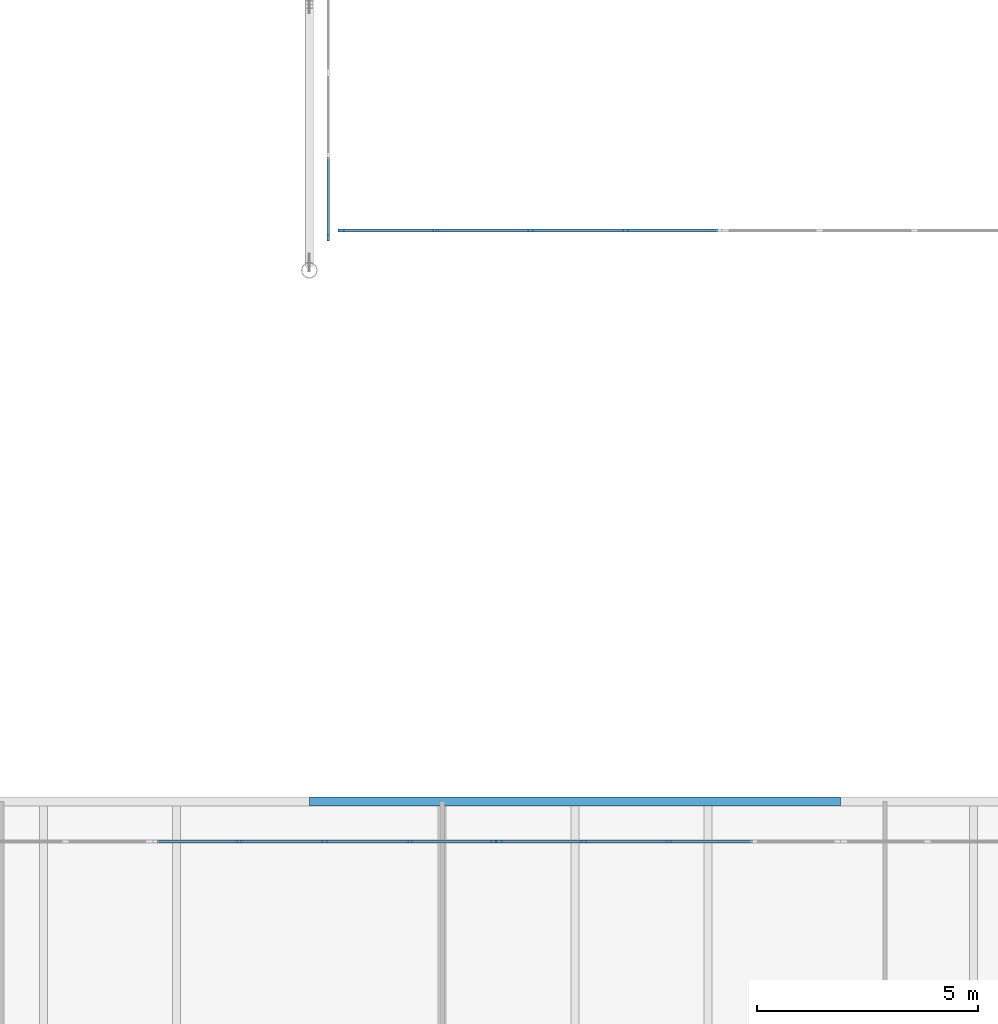
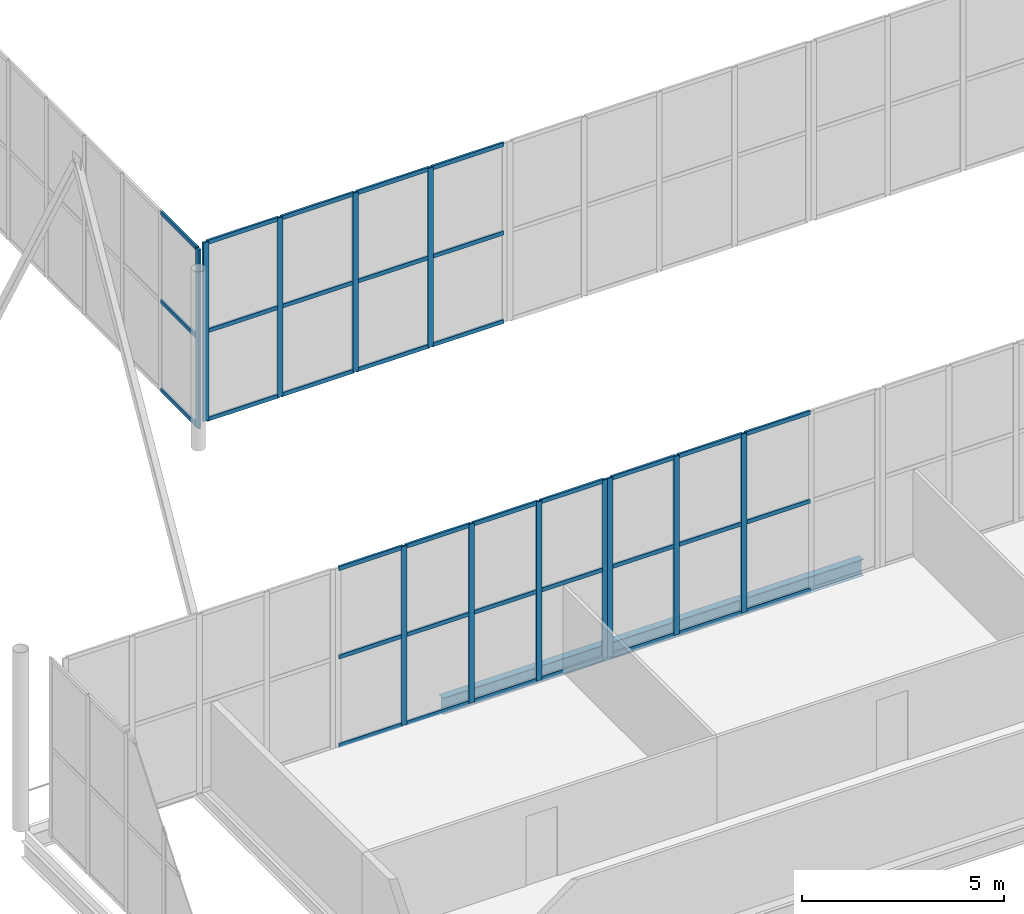
# One storey, part 56 of 170: 48 members, 1 beam, 4 elements without a shape of their own.
"""IFC4 building model written with IfcOpenShell, lengths in metres."""

from ifc_helpers import new_model, si_unit, direction, frame, origin, origin_2d, place, context, subcontext, project, spatial, rectangle, i_section, extrude, material, layer, layer_set, material_profile, profile_set, type_object, element, aggregate, save


model = new_model("IFC4")

# Units and contexts
model_context = context("Model", 3, precision=1e-05, world=origin(), true_north=direction((0.0, 1.0)))
body_context = subcontext(model_context, "Body", "Model", "MODEL_VIEW")
ifc_project = project(units=[si_unit("LENGTHUNIT", "METRE"), si_unit("AREAUNIT", "SQUARE_METRE"), si_unit("VOLUMEUNIT", "CUBIC_METRE"), si_unit("PLANEANGLEUNIT", "RADIAN"), si_unit("MASSUNIT", "GRAM", prefix="KILO")], contexts=[model_context])

# Site, building, storey
site_placement = place(None, origin())
site = spatial("IfcSite", under=ifc_project, at=site_placement, CompositionType="ELEMENT")
building_placement = place(site_placement, origin())
building = spatial("IfcBuilding", under=site, at=building_placement, Name="Ravi Spectrum Wholesale Market", CompositionType="ELEMENT")
storey_placement = place(building_placement, frame((0.0, 0.0, 5.39990234375)))
storey = spatial("IfcBuildingStorey", under=building, at=storey_placement, Name="L01", CompositionType="ELEMENT", Elevation=5.39990234375)

# Beam
ifc_material_1 = material(Name="Steel S355", Category="steel")
ifc_material_profile_1 = material_profile(ifc_material_1, i_section(OverallWidth=0.199951171875, OverallDepth=0.5, WebThickness=0.01025390625, FlangeThickness=0.01611328125, at=origin_2d()))
ifc_profile_set_1 = profile_set([ifc_material_profile_1], Name="Steel S355")
beam_type = type_object("IfcBeamType", Name="IPE 500 girder", PredefinedType="BEAM", material=ifc_profile_set_1)
beam_placement = place(storey_placement, frame((162.0, 126.0, -0.5), z_axis=(1.0, 0.0, 0.0), x_axis=(0.0, 1.0, 0.0)))
element("IfcBeam", 1, at=beam_placement, inside=storey, type_object=beam_type, Name="H2-BM-L01-006", PredefinedType="BEAM", context=body_context, shape_type="SweptSolid", body=[
    extrude(i_section(OverallWidth=0.199951171875, OverallDepth=0.5, WebThickness=0.01025390625, FlangeThickness=0.01611328125, at=origin_2d()), origin(), (0.0, 0.0, 1.0), 12.0),
])

# Curtain wall, members
ifc_material_2 = material(Name="Aluminium 6063-T6", Category="aluminium")
ifc_layer = layer(ifc_material_2, 0.14990234375)
ifc_layer_set = layer_set([ifc_layer], Name="Aluminium 6063-T6")
curtain_wall_type = type_object("IfcCurtainWallType", Name="Curtain wall 150", PredefinedType="NOTDEFINED", material=ifc_layer_set)
curtain_wall_1_placement = place(storey_placement, origin())
curtain_wall_1 = element("IfcCurtainWall", 2, at=curtain_wall_1_placement, inside=storey, type_object=curtain_wall_type, Name="H2-CW-L01-016", PredefinedType="NOTDEFINED")
ifc_material_3 = material(Name="Aluminium 6063-T6", Category="aluminium")
ifc_material_profile_2 = material_profile(ifc_material_3, rectangle(XDim=0.06005859375, YDim=0.159912109375, at=origin_2d()))
ifc_profile_set_2 = profile_set([ifc_material_profile_2], Name="Aluminium 6063-T6")
member_type_1 = type_object("IfcMemberType", Name="Mullion 60 x 160", PredefinedType="MULLION", material=ifc_profile_set_2)
member_1_placement = place(storey_placement, frame((160.41845703125, 125.10009765625, 0.0), z_axis=(0.0, 0.0, 1.0), x_axis=(0.0, 1.0, 0.0)))
member_1 = element("IfcMember", 3, at=member_1_placement, type_object=member_type_1, Name="H2-CW-L01-016 mullion 2", PredefinedType="MULLION", context=body_context, shape_type="SweptSolid", body=[
    extrude(rectangle(XDim=0.06005859375, YDim=0.159912109375, at=origin_2d()), origin(), (0.0, 0.0, 1.0), 5.400146484375),
])
member_2_placement = place(storey_placement, frame((162.341552734375, 125.10009765625, 0.0), z_axis=(0.0, 0.0, 1.0), x_axis=(0.0, 1.0, 0.0)))
member_2 = element("IfcMember", 4, at=member_2_placement, type_object=member_type_1, Name="H2-CW-L01-016 mullion 3", PredefinedType="MULLION", context=body_context, shape_type="SweptSolid", body=[
    extrude(rectangle(XDim=0.06005859375, YDim=0.159912109375, at=origin_2d()), origin(), (0.0, 0.0, 1.0), 5.400146484375),
])
member_3_placement = place(storey_placement, frame((164.2646484375, 125.10009765625, 0.0), z_axis=(0.0, 0.0, 1.0), x_axis=(0.0, 1.0, 0.0)))
member_3 = element("IfcMember", 5, at=member_3_placement, type_object=member_type_1, Name="H2-CW-L01-016 mullion 4", PredefinedType="MULLION", context=body_context, shape_type="SweptSolid", body=[
    extrude(rectangle(XDim=0.06005859375, YDim=0.159912109375, at=origin_2d()), origin(), (0.0, 0.0, 1.0), 5.400146484375),
])
member_4_placement = place(storey_placement, frame((166.15771484375, 125.10009765625, 0.0), z_axis=(0.0, 0.0, 1.0), x_axis=(0.0, 1.0, 0.0)))
member_4 = element("IfcMember", 6, at=member_4_placement, type_object=member_type_1, Name="H2-CW-L01-016 mullion 5", PredefinedType="MULLION", context=body_context, shape_type="SweptSolid", body=[
    extrude(rectangle(XDim=0.06005859375, YDim=0.159912109375, at=origin_2d()), origin(), (0.0, 0.0, 1.0), 5.400146484375),
])

curtain_wall_2_placement = place(storey_placement, origin())
curtain_wall_2 = element("IfcCurtainWall", 7, at=curtain_wall_2_placement, inside=storey, type_object=curtain_wall_type, Name="H2-CW-L01-017", PredefinedType="NOTDEFINED")
member_5_placement = place(storey_placement, frame((166.2978515625, 125.10009765625, 0.0), z_axis=(0.0, 0.0, 1.0), x_axis=(0.0, 1.0, 0.0)))
member_5 = element("IfcMember", 8, at=member_5_placement, type_object=member_type_1, Name="H2-CW-L01-017 mullion 1", PredefinedType="MULLION", context=body_context, shape_type="SweptSolid", body=[
    extrude(rectangle(XDim=0.06005859375, YDim=0.159912109375, at=origin_2d()), origin(), (0.0, 0.0, 1.0), 5.400146484375),
])
member_6_placement = place(storey_placement, frame((168.19091796875, 125.10009765625, 0.0), z_axis=(0.0, 0.0, 1.0), x_axis=(0.0, 1.0, 0.0)))
member_6 = element("IfcMember", 9, at=member_6_placement, type_object=member_type_1, Name="H2-CW-L01-017 mullion 2", PredefinedType="MULLION", context=body_context, shape_type="SweptSolid", body=[
    extrude(rectangle(XDim=0.06005859375, YDim=0.159912109375, at=origin_2d()), origin(), (0.0, 0.0, 1.0), 5.400146484375),
])
member_7_placement = place(storey_placement, frame((170.11376953125, 125.10009765625, 0.0), z_axis=(0.0, 0.0, 1.0), x_axis=(0.0, 1.0, 0.0)))
member_7 = element("IfcMember", 10, at=member_7_placement, type_object=member_type_1, Name="H2-CW-L01-017 mullion 3", PredefinedType="MULLION", context=body_context, shape_type="SweptSolid", body=[
    extrude(rectangle(XDim=0.06005859375, YDim=0.159912109375, at=origin_2d()), origin(), (0.0, 0.0, 1.0), 5.400146484375),
])

# Curtain wall, member
curtain_wall_3_placement = place(storey_placement, origin())
curtain_wall_3 = element("IfcCurtainWall", 11, at=curtain_wall_3_placement, inside=storey, type_object=curtain_wall_type, Name="H3-CW-L01-001", PredefinedType="NOTDEFINED")
member_8_placement = place(storey_placement, frame((162.427734375, 138.739990234375, 0.0), z_axis=(0.0, 0.0, 1.0), x_axis=(-1.0, 0.0, 0.0)))
member_8 = element("IfcMember", 12, at=member_8_placement, type_object=member_type_1, Name="H3-CW-L01-001 mullion 1", PredefinedType="MULLION", context=body_context, shape_type="SweptSolid", body=[
    extrude(rectangle(XDim=0.06005859375, YDim=0.159912109375, at=origin_2d()), origin(), (0.0, 0.0, 1.0), 5.400146484375),
])

# Curtain wall, members
curtain_wall_4_placement = place(storey_placement, origin())
curtain_wall_4 = element("IfcCurtainWall", 13, at=curtain_wall_4_placement, inside=storey, type_object=curtain_wall_type, Name="H3-CW-L01-009", PredefinedType="NOTDEFINED")
member_9_placement = place(storey_placement, frame((162.727783203125, 138.89990234375, 0.0), z_axis=(0.0, 0.0, 1.0), x_axis=(0.0, 1.0, 0.0)))
member_9 = element("IfcMember", 14, at=member_9_placement, type_object=member_type_1, Name="H3-CW-L01-009 mullion 1", PredefinedType="MULLION", context=body_context, shape_type="SweptSolid", body=[
    extrude(rectangle(XDim=0.06005859375, YDim=0.159912109375, at=origin_2d()), origin(), (0.0, 0.0, 1.0), 5.400146484375),
])
member_10_placement = place(storey_placement, frame((164.845458984375, 138.89990234375, 0.0), z_axis=(0.0, 0.0, 1.0), x_axis=(0.0, 1.0, 0.0)))
member_10 = element("IfcMember", 15, at=member_10_placement, type_object=member_type_1, Name="H3-CW-L01-009 mullion 2", PredefinedType="MULLION", context=body_context, shape_type="SweptSolid", body=[
    extrude(rectangle(XDim=0.06005859375, YDim=0.159912109375, at=origin_2d()), origin(), (0.0, 0.0, 1.0), 5.400146484375),
])
member_11_placement = place(storey_placement, frame((166.993408203125, 138.89990234375, 0.0), z_axis=(0.0, 0.0, 1.0), x_axis=(0.0, 1.0, 0.0)))
member_11 = element("IfcMember", 16, at=member_11_placement, type_object=member_type_1, Name="H3-CW-L01-009 mullion 3", PredefinedType="MULLION", context=body_context, shape_type="SweptSolid", body=[
    extrude(rectangle(XDim=0.06005859375, YDim=0.159912109375, at=origin_2d()), origin(), (0.0, 0.0, 1.0), 5.400146484375),
])
member_12_placement = place(storey_placement, frame((169.14111328125, 138.89990234375, 0.0), z_axis=(0.0, 0.0, 1.0), x_axis=(0.0, 1.0, 0.0)))
member_12 = element("IfcMember", 17, at=member_12_placement, type_object=member_type_1, Name="H3-CW-L01-009 mullion 4", PredefinedType="MULLION", context=body_context, shape_type="SweptSolid", body=[
    extrude(rectangle(XDim=0.06005859375, YDim=0.159912109375, at=origin_2d()), origin(), (0.0, 0.0, 1.0), 5.400146484375),
])

# Member
ifc_material_4 = material(Name="Aluminium 6063-T6", Category="aluminium")
ifc_material_profile_3 = material_profile(ifc_material_4, rectangle(XDim=0.06005859375, YDim=0.1201171875, at=origin_2d()))
ifc_profile_set_3 = profile_set([ifc_material_profile_3], Name="Aluminium 6063-T6")
member_type_2 = type_object("IfcMemberType", Name="Transom 60 x 120", PredefinedType="USERDEFINED", material=ifc_profile_set_3)
member_13_placement = place(storey_placement, frame((158.555419921875, 125.10009765625, 0.030029296875), z_axis=(1.0, 0.0, 0.0), x_axis=(0.0, 1.0, 0.0)))
member_13 = element("IfcMember", 18, at=member_13_placement, type_object=member_type_2, Name="H2-CW-L01-016 transom 1.1", ObjectType="TRANSOM", PredefinedType="USERDEFINED", context=body_context, shape_type="SweptSolid", body=[
    extrude(rectangle(XDim=0.06005859375, YDim=0.1201171875, at=origin_2d()), origin(), (0.0, 0.0, 1.0), 1.8330078125),
])

member_14_placement = place(storey_placement, frame((158.555419921875, 125.10009765625, 2.7001953125), z_axis=(1.0, 0.0, 0.0), x_axis=(0.0, 1.0, 0.0)))
member_14 = element("IfcMember", 19, at=member_14_placement, type_object=member_type_2, Name="H2-CW-L01-016 transom 1.2", ObjectType="TRANSOM", PredefinedType="USERDEFINED", context=body_context, shape_type="SweptSolid", body=[
    extrude(rectangle(XDim=0.06005859375, YDim=0.1201171875, at=origin_2d()), origin(), (0.0, 0.0, 1.0), 1.8330078125),
])

member_15_placement = place(storey_placement, frame((158.555419921875, 125.10009765625, 5.3701171875), z_axis=(1.0, 0.0, 0.0), x_axis=(0.0, 1.0, 0.0)))
member_15 = element("IfcMember", 20, at=member_15_placement, type_object=member_type_2, Name="H2-CW-L01-016 transom 1.3", ObjectType="TRANSOM", PredefinedType="USERDEFINED", context=body_context, shape_type="SweptSolid", body=[
    extrude(rectangle(XDim=0.06005859375, YDim=0.1201171875, at=origin_2d()), origin(), (0.0, 0.0, 1.0), 1.8330078125),
])

member_16_placement = place(storey_placement, frame((160.448486328125, 125.10009765625, 0.030029296875), z_axis=(1.0, 0.0, 0.0), x_axis=(0.0, 1.0, 0.0)))
member_16 = element("IfcMember", 21, at=member_16_placement, type_object=member_type_2, Name="H2-CW-L01-016 transom 2.1", ObjectType="TRANSOM", PredefinedType="USERDEFINED", context=body_context, shape_type="SweptSolid", body=[
    extrude(rectangle(XDim=0.06005859375, YDim=0.1201171875, at=origin_2d()), origin(), (0.0, 0.0, 1.0), 1.863037109375),
])

member_17_placement = place(storey_placement, frame((160.448486328125, 125.10009765625, 2.7001953125), z_axis=(1.0, 0.0, 0.0), x_axis=(0.0, 1.0, 0.0)))
member_17 = element("IfcMember", 22, at=member_17_placement, type_object=member_type_2, Name="H2-CW-L01-016 transom 2.2", ObjectType="TRANSOM", PredefinedType="USERDEFINED", context=body_context, shape_type="SweptSolid", body=[
    extrude(rectangle(XDim=0.06005859375, YDim=0.1201171875, at=origin_2d()), origin(), (0.0, 0.0, 1.0), 1.863037109375),
])

member_18_placement = place(storey_placement, frame((160.448486328125, 125.10009765625, 5.3701171875), z_axis=(1.0, 0.0, 0.0), x_axis=(0.0, 1.0, 0.0)))
member_18 = element("IfcMember", 23, at=member_18_placement, type_object=member_type_2, Name="H2-CW-L01-016 transom 2.3", ObjectType="TRANSOM", PredefinedType="USERDEFINED", context=body_context, shape_type="SweptSolid", body=[
    extrude(rectangle(XDim=0.06005859375, YDim=0.1201171875, at=origin_2d()), origin(), (0.0, 0.0, 1.0), 1.863037109375),
])

member_19_placement = place(storey_placement, frame((162.37158203125, 125.10009765625, 0.030029296875), z_axis=(1.0, 0.0, 0.0), x_axis=(0.0, 1.0, 0.0)))
member_19 = element("IfcMember", 24, at=member_19_placement, type_object=member_type_2, Name="H2-CW-L01-016 transom 3.1", ObjectType="TRANSOM", PredefinedType="USERDEFINED", context=body_context, shape_type="SweptSolid", body=[
    extrude(rectangle(XDim=0.06005859375, YDim=0.1201171875, at=origin_2d()), origin(), (0.0, 0.0, 1.0), 1.863037109375),
])

member_20_placement = place(storey_placement, frame((162.37158203125, 125.10009765625, 2.7001953125), z_axis=(1.0, 0.0, 0.0), x_axis=(0.0, 1.0, 0.0)))
member_20 = element("IfcMember", 25, at=member_20_placement, type_object=member_type_2, Name="H2-CW-L01-016 transom 3.2", ObjectType="TRANSOM", PredefinedType="USERDEFINED", context=body_context, shape_type="SweptSolid", body=[
    extrude(rectangle(XDim=0.06005859375, YDim=0.1201171875, at=origin_2d()), origin(), (0.0, 0.0, 1.0), 1.863037109375),
])

member_21_placement = place(storey_placement, frame((162.37158203125, 125.10009765625, 5.3701171875), z_axis=(1.0, 0.0, 0.0), x_axis=(0.0, 1.0, 0.0)))
member_21 = element("IfcMember", 26, at=member_21_placement, type_object=member_type_2, Name="H2-CW-L01-016 transom 3.3", ObjectType="TRANSOM", PredefinedType="USERDEFINED", context=body_context, shape_type="SweptSolid", body=[
    extrude(rectangle(XDim=0.06005859375, YDim=0.1201171875, at=origin_2d()), origin(), (0.0, 0.0, 1.0), 1.863037109375),
])

member_22_placement = place(storey_placement, frame((164.294677734375, 125.10009765625, 0.030029296875), z_axis=(1.0, 0.0, 0.0), x_axis=(0.0, 1.0, 0.0)))
member_22 = element("IfcMember", 27, at=member_22_placement, type_object=member_type_2, Name="H2-CW-L01-016 transom 4.1", ObjectType="TRANSOM", PredefinedType="USERDEFINED", context=body_context, shape_type="SweptSolid", body=[
    extrude(rectangle(XDim=0.06005859375, YDim=0.1201171875, at=origin_2d()), origin(), (0.0, 0.0, 1.0), 1.8330078125),
])

member_23_placement = place(storey_placement, frame((164.294677734375, 125.10009765625, 2.7001953125), z_axis=(1.0, 0.0, 0.0), x_axis=(0.0, 1.0, 0.0)))
member_23 = element("IfcMember", 28, at=member_23_placement, type_object=member_type_2, Name="H2-CW-L01-016 transom 4.2", ObjectType="TRANSOM", PredefinedType="USERDEFINED", context=body_context, shape_type="SweptSolid", body=[
    extrude(rectangle(XDim=0.06005859375, YDim=0.1201171875, at=origin_2d()), origin(), (0.0, 0.0, 1.0), 1.8330078125),
])

member_24_placement = place(storey_placement, frame((164.294677734375, 125.10009765625, 5.3701171875), z_axis=(1.0, 0.0, 0.0), x_axis=(0.0, 1.0, 0.0)))
member_24 = element("IfcMember", 29, at=member_24_placement, type_object=member_type_2, Name="H2-CW-L01-016 transom 4.3", ObjectType="TRANSOM", PredefinedType="USERDEFINED", context=body_context, shape_type="SweptSolid", body=[
    extrude(rectangle(XDim=0.06005859375, YDim=0.1201171875, at=origin_2d()), origin(), (0.0, 0.0, 1.0), 1.8330078125),
])

aggregate(curtain_wall_1, [member_1, member_2, member_3, member_4, member_13, member_14, member_15, member_16, member_17, member_18, member_19, member_20, member_21, member_22, member_23, member_24])

member_25_placement = place(storey_placement, frame((166.32763671875, 125.10009765625, 0.030029296875), z_axis=(1.0, 0.0, 0.0), x_axis=(0.0, 1.0, 0.0)))
member_25 = element("IfcMember", 30, at=member_25_placement, type_object=member_type_2, Name="H2-CW-L01-017 transom 1.1", ObjectType="TRANSOM", PredefinedType="USERDEFINED", context=body_context, shape_type="SweptSolid", body=[
    extrude(rectangle(XDim=0.06005859375, YDim=0.1201171875, at=origin_2d()), origin(), (0.0, 0.0, 1.0), 1.833251953125),
])

member_26_placement = place(storey_placement, frame((166.32763671875, 125.10009765625, 2.7001953125), z_axis=(1.0, 0.0, 0.0), x_axis=(0.0, 1.0, 0.0)))
member_26 = element("IfcMember", 31, at=member_26_placement, type_object=member_type_2, Name="H2-CW-L01-017 transom 1.2", ObjectType="TRANSOM", PredefinedType="USERDEFINED", context=body_context, shape_type="SweptSolid", body=[
    extrude(rectangle(XDim=0.06005859375, YDim=0.1201171875, at=origin_2d()), origin(), (0.0, 0.0, 1.0), 1.833251953125),
])

member_27_placement = place(storey_placement, frame((166.32763671875, 125.10009765625, 5.3701171875), z_axis=(1.0, 0.0, 0.0), x_axis=(0.0, 1.0, 0.0)))
member_27 = element("IfcMember", 32, at=member_27_placement, type_object=member_type_2, Name="H2-CW-L01-017 transom 1.3", ObjectType="TRANSOM", PredefinedType="USERDEFINED", context=body_context, shape_type="SweptSolid", body=[
    extrude(rectangle(XDim=0.06005859375, YDim=0.1201171875, at=origin_2d()), origin(), (0.0, 0.0, 1.0), 1.833251953125),
])

member_28_placement = place(storey_placement, frame((168.220703125, 125.10009765625, 0.030029296875), z_axis=(1.0, 0.0, 0.0), x_axis=(0.0, 1.0, 0.0)))
member_28 = element("IfcMember", 33, at=member_28_placement, type_object=member_type_2, Name="H2-CW-L01-017 transom 2.1", ObjectType="TRANSOM", PredefinedType="USERDEFINED", context=body_context, shape_type="SweptSolid", body=[
    extrude(rectangle(XDim=0.06005859375, YDim=0.1201171875, at=origin_2d()), origin(), (0.0, 0.0, 1.0), 1.86328125),
])

member_29_placement = place(storey_placement, frame((168.220703125, 125.10009765625, 2.7001953125), z_axis=(1.0, 0.0, 0.0), x_axis=(0.0, 1.0, 0.0)))
member_29 = element("IfcMember", 34, at=member_29_placement, type_object=member_type_2, Name="H2-CW-L01-017 transom 2.2", ObjectType="TRANSOM", PredefinedType="USERDEFINED", context=body_context, shape_type="SweptSolid", body=[
    extrude(rectangle(XDim=0.06005859375, YDim=0.1201171875, at=origin_2d()), origin(), (0.0, 0.0, 1.0), 1.86328125),
])

member_30_placement = place(storey_placement, frame((168.220703125, 125.10009765625, 5.3701171875), z_axis=(1.0, 0.0, 0.0), x_axis=(0.0, 1.0, 0.0)))
member_30 = element("IfcMember", 35, at=member_30_placement, type_object=member_type_2, Name="H2-CW-L01-017 transom 2.3", ObjectType="TRANSOM", PredefinedType="USERDEFINED", context=body_context, shape_type="SweptSolid", body=[
    extrude(rectangle(XDim=0.06005859375, YDim=0.1201171875, at=origin_2d()), origin(), (0.0, 0.0, 1.0), 1.86328125),
])

member_31_placement = place(storey_placement, frame((170.143798828125, 125.10009765625, 0.030029296875), z_axis=(1.0, 0.0, 0.0), x_axis=(0.0, 1.0, 0.0)))
member_31 = element("IfcMember", 36, at=member_31_placement, type_object=member_type_2, Name="H2-CW-L01-017 transom 3.1", ObjectType="TRANSOM", PredefinedType="USERDEFINED", context=body_context, shape_type="SweptSolid", body=[
    extrude(rectangle(XDim=0.06005859375, YDim=0.1201171875, at=origin_2d()), origin(), (0.0, 0.0, 1.0), 1.863037109375),
])

member_32_placement = place(storey_placement, frame((170.143798828125, 125.10009765625, 2.7001953125), z_axis=(1.0, 0.0, 0.0), x_axis=(0.0, 1.0, 0.0)))
member_32 = element("IfcMember", 37, at=member_32_placement, type_object=member_type_2, Name="H2-CW-L01-017 transom 3.2", ObjectType="TRANSOM", PredefinedType="USERDEFINED", context=body_context, shape_type="SweptSolid", body=[
    extrude(rectangle(XDim=0.06005859375, YDim=0.1201171875, at=origin_2d()), origin(), (0.0, 0.0, 1.0), 1.863037109375),
])

member_33_placement = place(storey_placement, frame((170.143798828125, 125.10009765625, 5.3701171875), z_axis=(1.0, 0.0, 0.0), x_axis=(0.0, 1.0, 0.0)))
member_33 = element("IfcMember", 38, at=member_33_placement, type_object=member_type_2, Name="H2-CW-L01-017 transom 3.3", ObjectType="TRANSOM", PredefinedType="USERDEFINED", context=body_context, shape_type="SweptSolid", body=[
    extrude(rectangle(XDim=0.06005859375, YDim=0.1201171875, at=origin_2d()), origin(), (0.0, 0.0, 1.0), 1.863037109375),
])

aggregate(curtain_wall_2, [member_5, member_6, member_7, member_25, member_26, member_27, member_28, member_29, member_30, member_31, member_32, member_33])

member_34_placement = place(storey_placement, frame((162.427734375, 138.77001953125, 0.030029296875), z_axis=(0.0, 1.0, 0.0), x_axis=(-1.0, 0.0, 0.0)))
member_34 = element("IfcMember", 39, at=member_34_placement, type_object=member_type_2, Name="H3-CW-L01-001 transom 1.1", ObjectType="TRANSOM", PredefinedType="USERDEFINED", context=body_context, shape_type="SweptSolid", body=[
    extrude(rectangle(XDim=0.06005859375, YDim=0.1201171875, at=origin_2d()), origin(), (0.0, 0.0, 1.0), 1.784912109375),
])

member_35_placement = place(storey_placement, frame((162.427734375, 138.77001953125, 2.7001953125), z_axis=(0.0, 1.0, 0.0), x_axis=(-1.0, 0.0, 0.0)))
member_35 = element("IfcMember", 40, at=member_35_placement, type_object=member_type_2, Name="H3-CW-L01-001 transom 1.2", ObjectType="TRANSOM", PredefinedType="USERDEFINED", context=body_context, shape_type="SweptSolid", body=[
    extrude(rectangle(XDim=0.06005859375, YDim=0.1201171875, at=origin_2d()), origin(), (0.0, 0.0, 1.0), 1.784912109375),
])

member_36_placement = place(storey_placement, frame((162.427734375, 138.77001953125, 5.3701171875), z_axis=(0.0, 1.0, 0.0), x_axis=(-1.0, 0.0, 0.0)))
member_36 = element("IfcMember", 41, at=member_36_placement, type_object=member_type_2, Name="H3-CW-L01-001 transom 1.3", ObjectType="TRANSOM", PredefinedType="USERDEFINED", context=body_context, shape_type="SweptSolid", body=[
    extrude(rectangle(XDim=0.06005859375, YDim=0.1201171875, at=origin_2d()), origin(), (0.0, 0.0, 1.0), 1.784912109375),
])

aggregate(curtain_wall_3, [member_8, member_34, member_35, member_36])

member_37_placement = place(storey_placement, frame((162.7578125, 138.89990234375, 0.030029296875), z_axis=(1.0, 0.0, 0.0), x_axis=(0.0, 1.0, 0.0)))
member_37 = element("IfcMember", 42, at=member_37_placement, type_object=member_type_2, Name="H3-CW-L01-009 transom 1.1", ObjectType="TRANSOM", PredefinedType="USERDEFINED", context=body_context, shape_type="SweptSolid", body=[
    extrude(rectangle(XDim=0.06005859375, YDim=0.1201171875, at=origin_2d()), origin(), (0.0, 0.0, 1.0), 2.057861328125),
])

member_38_placement = place(storey_placement, frame((162.7578125, 138.89990234375, 2.7001953125), z_axis=(1.0, 0.0, 0.0), x_axis=(0.0, 1.0, 0.0)))
member_38 = element("IfcMember", 43, at=member_38_placement, type_object=member_type_2, Name="H3-CW-L01-009 transom 1.2", ObjectType="TRANSOM", PredefinedType="USERDEFINED", context=body_context, shape_type="SweptSolid", body=[
    extrude(rectangle(XDim=0.06005859375, YDim=0.1201171875, at=origin_2d()), origin(), (0.0, 0.0, 1.0), 2.057861328125),
])

member_39_placement = place(storey_placement, frame((162.7578125, 138.89990234375, 5.3701171875), z_axis=(1.0, 0.0, 0.0), x_axis=(0.0, 1.0, 0.0)))
member_39 = element("IfcMember", 44, at=member_39_placement, type_object=member_type_2, Name="H3-CW-L01-009 transom 1.3", ObjectType="TRANSOM", PredefinedType="USERDEFINED", context=body_context, shape_type="SweptSolid", body=[
    extrude(rectangle(XDim=0.06005859375, YDim=0.1201171875, at=origin_2d()), origin(), (0.0, 0.0, 1.0), 2.057861328125),
])

member_40_placement = place(storey_placement, frame((164.87548828125, 138.89990234375, 0.030029296875), z_axis=(1.0, 0.0, 0.0), x_axis=(0.0, 1.0, 0.0)))
member_40 = element("IfcMember", 45, at=member_40_placement, type_object=member_type_2, Name="H3-CW-L01-009 transom 2.1", ObjectType="TRANSOM", PredefinedType="USERDEFINED", context=body_context, shape_type="SweptSolid", body=[
    extrude(rectangle(XDim=0.06005859375, YDim=0.1201171875, at=origin_2d()), origin(), (0.0, 0.0, 1.0), 2.087890625),
])

member_41_placement = place(storey_placement, frame((164.87548828125, 138.89990234375, 2.7001953125), z_axis=(1.0, 0.0, 0.0), x_axis=(0.0, 1.0, 0.0)))
member_41 = element("IfcMember", 46, at=member_41_placement, type_object=member_type_2, Name="H3-CW-L01-009 transom 2.2", ObjectType="TRANSOM", PredefinedType="USERDEFINED", context=body_context, shape_type="SweptSolid", body=[
    extrude(rectangle(XDim=0.06005859375, YDim=0.1201171875, at=origin_2d()), origin(), (0.0, 0.0, 1.0), 2.087890625),
])

member_42_placement = place(storey_placement, frame((164.87548828125, 138.89990234375, 5.3701171875), z_axis=(1.0, 0.0, 0.0), x_axis=(0.0, 1.0, 0.0)))
member_42 = element("IfcMember", 47, at=member_42_placement, type_object=member_type_2, Name="H3-CW-L01-009 transom 2.3", ObjectType="TRANSOM", PredefinedType="USERDEFINED", context=body_context, shape_type="SweptSolid", body=[
    extrude(rectangle(XDim=0.06005859375, YDim=0.1201171875, at=origin_2d()), origin(), (0.0, 0.0, 1.0), 2.087890625),
])

member_43_placement = place(storey_placement, frame((167.0234375, 138.89990234375, 0.030029296875), z_axis=(1.0, 0.0, 0.0), x_axis=(0.0, 1.0, 0.0)))
member_43 = element("IfcMember", 48, at=member_43_placement, type_object=member_type_2, Name="H3-CW-L01-009 transom 3.1", ObjectType="TRANSOM", PredefinedType="USERDEFINED", context=body_context, shape_type="SweptSolid", body=[
    extrude(rectangle(XDim=0.06005859375, YDim=0.1201171875, at=origin_2d()), origin(), (0.0, 0.0, 1.0), 2.087646484375),
])

member_44_placement = place(storey_placement, frame((167.0234375, 138.89990234375, 2.7001953125), z_axis=(1.0, 0.0, 0.0), x_axis=(0.0, 1.0, 0.0)))
member_44 = element("IfcMember", 49, at=member_44_placement, type_object=member_type_2, Name="H3-CW-L01-009 transom 3.2", ObjectType="TRANSOM", PredefinedType="USERDEFINED", context=body_context, shape_type="SweptSolid", body=[
    extrude(rectangle(XDim=0.06005859375, YDim=0.1201171875, at=origin_2d()), origin(), (0.0, 0.0, 1.0), 2.087646484375),
])

member_45_placement = place(storey_placement, frame((167.0234375, 138.89990234375, 5.3701171875), z_axis=(1.0, 0.0, 0.0), x_axis=(0.0, 1.0, 0.0)))
member_45 = element("IfcMember", 50, at=member_45_placement, type_object=member_type_2, Name="H3-CW-L01-009 transom 3.3", ObjectType="TRANSOM", PredefinedType="USERDEFINED", context=body_context, shape_type="SweptSolid", body=[
    extrude(rectangle(XDim=0.06005859375, YDim=0.1201171875, at=origin_2d()), origin(), (0.0, 0.0, 1.0), 2.087646484375),
])

member_46_placement = place(storey_placement, frame((169.171142578125, 138.89990234375, 0.030029296875), z_axis=(1.0, 0.0, 0.0), x_axis=(0.0, 1.0, 0.0)))
member_46 = element("IfcMember", 51, at=member_46_placement, type_object=member_type_2, Name="H3-CW-L01-009 transom 4.1", ObjectType="TRANSOM", PredefinedType="USERDEFINED", context=body_context, shape_type="SweptSolid", body=[
    extrude(rectangle(XDim=0.06005859375, YDim=0.1201171875, at=origin_2d()), origin(), (0.0, 0.0, 1.0), 2.057861328125),
])

member_47_placement = place(storey_placement, frame((169.171142578125, 138.89990234375, 2.7001953125), z_axis=(1.0, 0.0, 0.0), x_axis=(0.0, 1.0, 0.0)))
member_47 = element("IfcMember", 52, at=member_47_placement, type_object=member_type_2, Name="H3-CW-L01-009 transom 4.2", ObjectType="TRANSOM", PredefinedType="USERDEFINED", context=body_context, shape_type="SweptSolid", body=[
    extrude(rectangle(XDim=0.06005859375, YDim=0.1201171875, at=origin_2d()), origin(), (0.0, 0.0, 1.0), 2.057861328125),
])

member_48_placement = place(storey_placement, frame((169.171142578125, 138.89990234375, 5.3701171875), z_axis=(1.0, 0.0, 0.0), x_axis=(0.0, 1.0, 0.0)))
member_48 = element("IfcMember", 53, at=member_48_placement, type_object=member_type_2, Name="H3-CW-L01-009 transom 4.3", ObjectType="TRANSOM", PredefinedType="USERDEFINED", context=body_context, shape_type="SweptSolid", body=[
    extrude(rectangle(XDim=0.06005859375, YDim=0.1201171875, at=origin_2d()), origin(), (0.0, 0.0, 1.0), 2.057861328125),
])

aggregate(curtain_wall_4, [member_9, member_10, member_11, member_12, member_37, member_38, member_39, member_40, member_41, member_42, member_43, member_44, member_45, member_46, member_47, member_48])

save(model, "model.ifc")
